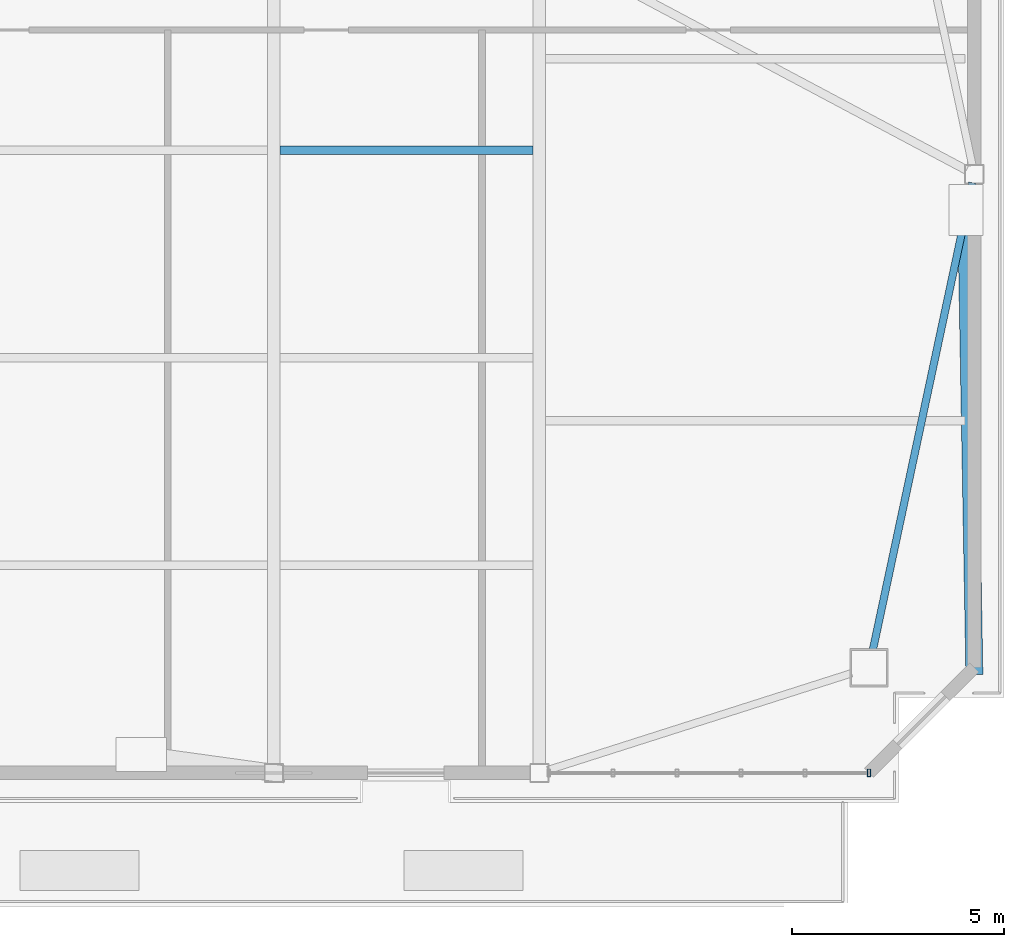
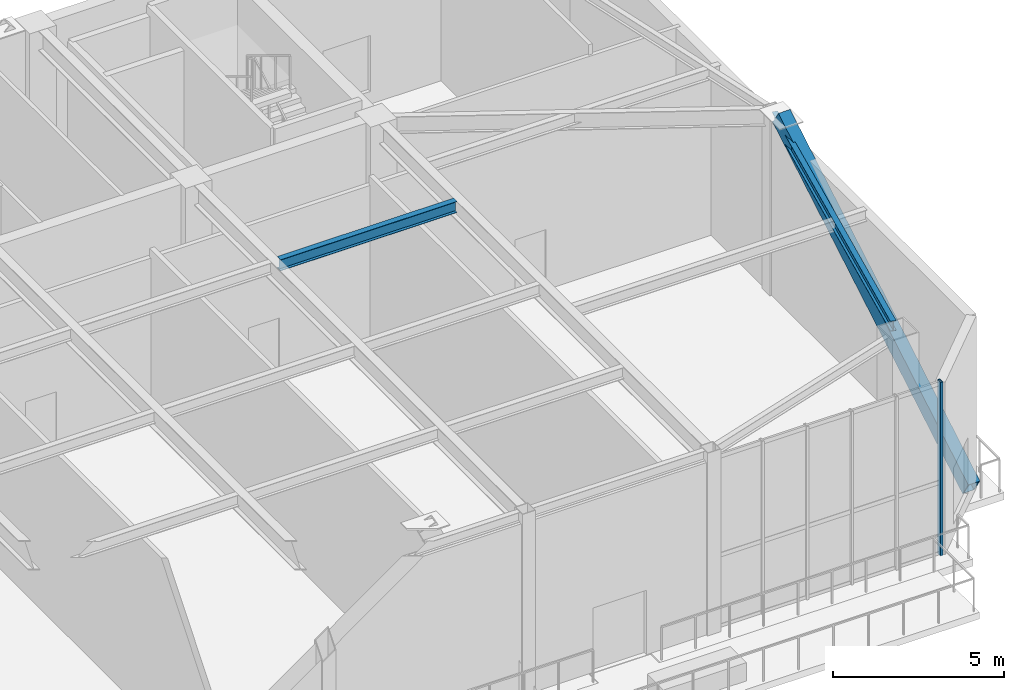
# One storey, part 6 of 15: 2 beams, 2 members, 1 element without a shape of its own.
"""IFC4 building model written with IfcOpenShell, lengths in metres."""

from ifc_helpers import new_model, si_unit, direction, frame, origin, origin_2d, place, context, subcontext, project, spatial, hollow_rectangle, i_section, extrude, source, transform, mapped, material, layer, layer_set, material_profile, profile_set, type_object, element, aggregate, save


model = new_model("IFC4")

# Units and contexts
model_context = context("Model", 3, precision=1e-05, world=origin(), true_north=direction((0.0, 1.0)))
body_context = subcontext(model_context, "Body", "Model", "MODEL_VIEW")
ifc_project = project(units=[si_unit("LENGTHUNIT", "METRE"), si_unit("AREAUNIT", "SQUARE_METRE"), si_unit("VOLUMEUNIT", "CUBIC_METRE"), si_unit("PLANEANGLEUNIT", "RADIAN"), si_unit("MASSUNIT", "GRAM", prefix="KILO")], contexts=[model_context])

# Site, building, storey
site_placement = place(None, origin())
site = spatial("IfcSite", under=ifc_project, at=site_placement, CompositionType="ELEMENT")
building_placement = place(site_placement, origin())
building = spatial("IfcBuilding", under=site, at=building_placement, Name="Giltprow Tower", CompositionType="ELEMENT")
storey_placement = place(building_placement, frame((0.0, 0.0, 279.10009765625)))
storey = spatial("IfcBuildingStorey", under=building, at=storey_placement, Name="L72", CompositionType="ELEMENT", Elevation=279.10009765625)

# Beams
ifc_material_1 = material(Name="Structural steel Q355B", Category="steel")
ifc_material_profile_1 = material_profile(ifc_material_1, i_section(OverallWidth=0.199951171875, OverallDepth=0.39990234375, WebThickness=0.008056640625, FlangeThickness=0.012939453125, at=origin_2d()), Name="HN 400x200x8x13")
ifc_profile_set_1 = profile_set([ifc_material_profile_1], Name="Structural steel Q355B")
beam_type_1 = type_object("IfcBeamType", Name="BM-JOIST-HN400", PredefinedType="JOIST", material=ifc_profile_set_1)
shared_shape_1 = source(origin(), body_context, "Body", "SweptSolid", [
    extrude(i_section(OverallWidth=0.199951171875, OverallDepth=0.39990234375, WebThickness=0.008056640625, FlangeThickness=0.012939453125, at=origin_2d()), origin(), (0.0, 0.0, 1.0), 5.9599609375),
])
beam_1_placement = place(storey_placement, frame((44.445068359375, 32.56494140625, 6.31982421875), z_axis=(1.0, 0.0, 0.0), x_axis=(0.0, 1.0, 0.0)))
element("IfcBeam", 1, at=beam_1_placement, inside=storey, type_object=beam_type_1, Name="L72 Composite Floor Joist 3-4", PredefinedType="JOIST", context=body_context, shape_type="MappedRepresentation", body=[
    mapped(shared_shape_1, transform((0.0, 0.0, 0.0), x_axis=(1.0, 0.0, 0.0), y_axis=(0.0, 1.0, 0.0), z_axis=(0.0, 0.0, 1.0), scale=1.0)),
])
ifc_material_profile_2 = material_profile(ifc_material_1, i_section(OverallWidth=0.175048828125, OverallDepth=0.35009765625, WebThickness=0.007080078125, FlangeThickness=0.010986328125, at=origin_2d()), Name="HN 350x175x7x11")
ifc_profile_set_2 = profile_set([ifc_material_profile_2], Name="Structural steel Q355B")
beam_type_2 = type_object("IfcBeamType", Name="BM-SPAN-HN350", PredefinedType="SPANDREL", material=ifc_profile_set_2)
shared_shape_2 = source(origin(), body_context, "Body", "SweptSolid", [
    extrude(i_section(OverallWidth=0.175048828125, OverallDepth=0.35009765625, WebThickness=0.007080078125, FlangeThickness=0.010986328125, at=origin_2d()), origin(), (0.0, 0.0, 1.0), 11.23583984375),
])
beam_2_placement = place(storey_placement, frame((58.405029296875, 20.81005859375, 6.344970703125), z_axis=(0.208444216546, 0.97803425737, 0.0), x_axis=(-0.97803425737, 0.208444216546, 0.0)))
element("IfcBeam", 2, at=beam_2_placement, inside=storey, type_object=beam_type_2, Name="L72 Perimeter Spandrel Beam MC_SE-E_MID", PredefinedType="SPANDREL", context=body_context, shape_type="MappedRepresentation", body=[
    mapped(shared_shape_2, transform((0.0, 0.0, 0.0), x_axis=(1.0, 0.0, 0.0), y_axis=(0.0, 1.0, 0.0), z_axis=(0.0, 0.0, 1.0), scale=1.0)),
])

# Member
ifc_material_2 = material(Name="Structural steel Q420GJC", Category="steel")
ifc_material_profile_3 = material_profile(ifc_material_2, hollow_rectangle(XDim=0.39990234375, YDim=0.60009765625, WallThickness=0.028076171875, at=origin_2d()), Name="RHS 600x400x28")
ifc_profile_set_3 = profile_set([ifc_material_profile_3], Name="Structural steel Q420GJC")
member_type_1 = type_object("IfcMemberType", Name="MBR-MEGA-RHS600", PredefinedType="BRACE", material=ifc_profile_set_3)
shared_shape_3 = source(origin(), body_context, "Body", "SweptSolid", [
    extrude(hollow_rectangle(XDim=0.39990234375, YDim=0.60009765625, WallThickness=0.028076171875, at=origin_2d()), origin(), (0.0, 0.0, 1.0), 12.7392578125),
])
member_1_placement = place(storey_placement, frame((60.791015625, 20.385009765625, 0.0), z_axis=(-0.015063250301, 0.845496789774, 0.533767999202), x_axis=(-0.999841335381, -0.017813030727, 0.0)))
element("IfcMember", 3, at=member_1_placement, inside=storey, type_object=member_type_1, Name="L72 Chevron Mega-Brace E-D", PredefinedType="BRACE", context=body_context, shape_type="MappedRepresentation", body=[
    mapped(shared_shape_3, transform((0.0, 0.0, 0.0), x_axis=(1.0, 0.0, 0.0), y_axis=(0.0, 1.0, 0.0), z_axis=(0.0, 0.0, 1.0), scale=1.0)),
])

# Curtain wall, member
ifc_material_3 = material(Name="Anodized bronze", Category="metal")
ifc_layer = layer(ifc_material_3, 0.179931640625, Name="Anodized bronze")
ifc_layer_set = layer_set([ifc_layer], Name="Anodized bronze")
curtain_wall_type = type_object("IfcCurtainWallType", Name="CW-SKYGARDEN", PredefinedType="NOTDEFINED", material=ifc_layer_set)
curtain_wall_placement = place(storey_placement, origin())
curtain_wall = element("IfcCurtainWall", 4, at=curtain_wall_placement, inside=storey, type_object=curtain_wall_type, Name="L72 South Recessed Curtain Wall 6", PredefinedType="NOTDEFINED")
ifc_material_profile_4 = material_profile(ifc_material_3, hollow_rectangle(XDim=0.074951171875, YDim=0.179931640625, WallThickness=0.008056640625, at=origin_2d()), Name="RHS 180x75x8")
ifc_profile_set_4 = profile_set([ifc_material_profile_4], Name="Anodized bronze")
member_type_2 = type_object("IfcMemberType", Name="CW-MULLION-180x75", PredefinedType="MULLION", material=ifc_profile_set_4)
shared_shape_4 = source(origin(), body_context, "Body", "SweptSolid", [
    extrude(hollow_rectangle(XDim=0.074951171875, YDim=0.179931640625, WallThickness=0.008056640625, at=origin_2d()), origin(), (0.0, 0.0, 1.0), 6.204833984375),
])
member_2_placement = place(storey_placement, frame((58.31396484375, 17.907958984375, -0.02001953125), z_axis=(0.0, 0.0, 1.0), x_axis=(1.0, 0.0, 0.0)))
member_2 = element("IfcMember", 5, at=member_2_placement, type_object=member_type_2, Name="L72 South Recessed Curtain Wall 6 Mullion 6", PredefinedType="MULLION", context=body_context, shape_type="MappedRepresentation", body=[
    mapped(shared_shape_4, transform((0.0, 0.0, 0.0), x_axis=(1.0, 0.0, 0.0), y_axis=(0.0, 1.0, 0.0), z_axis=(0.0, 0.0, 1.0), scale=1.0)),
])
aggregate(curtain_wall, [member_2])

save(model, "model.ifc")
